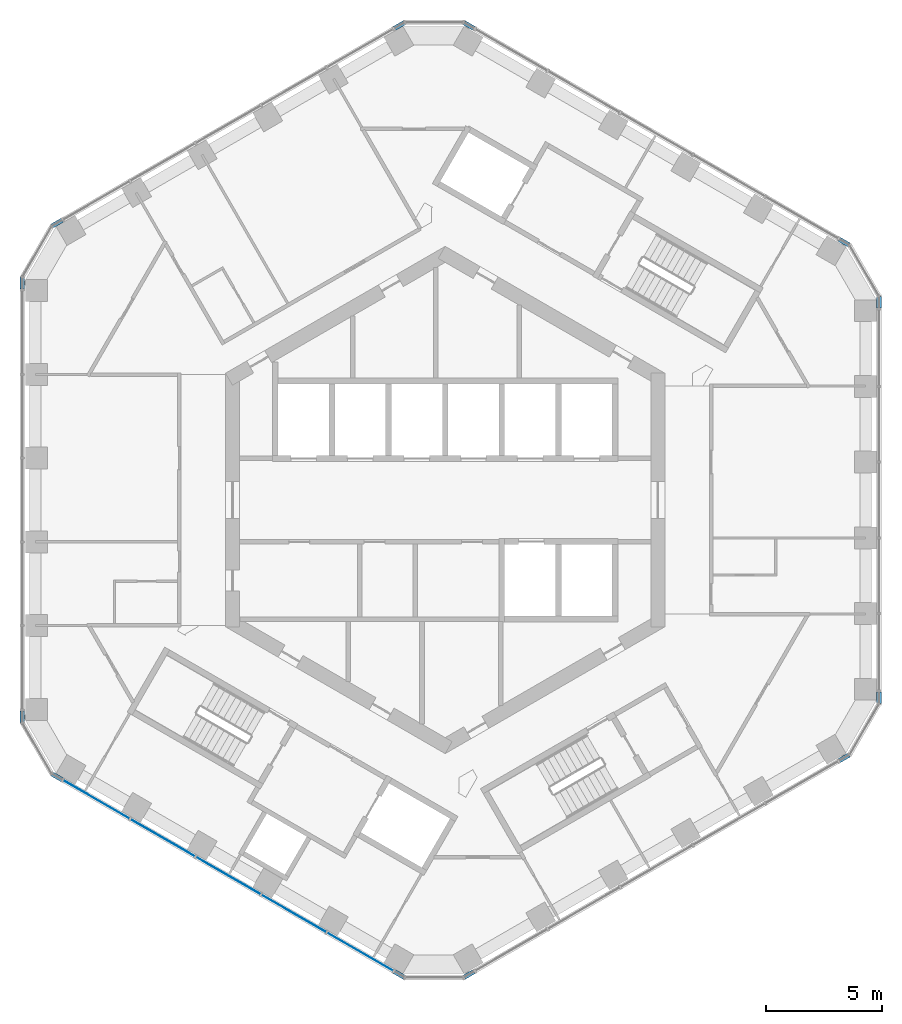
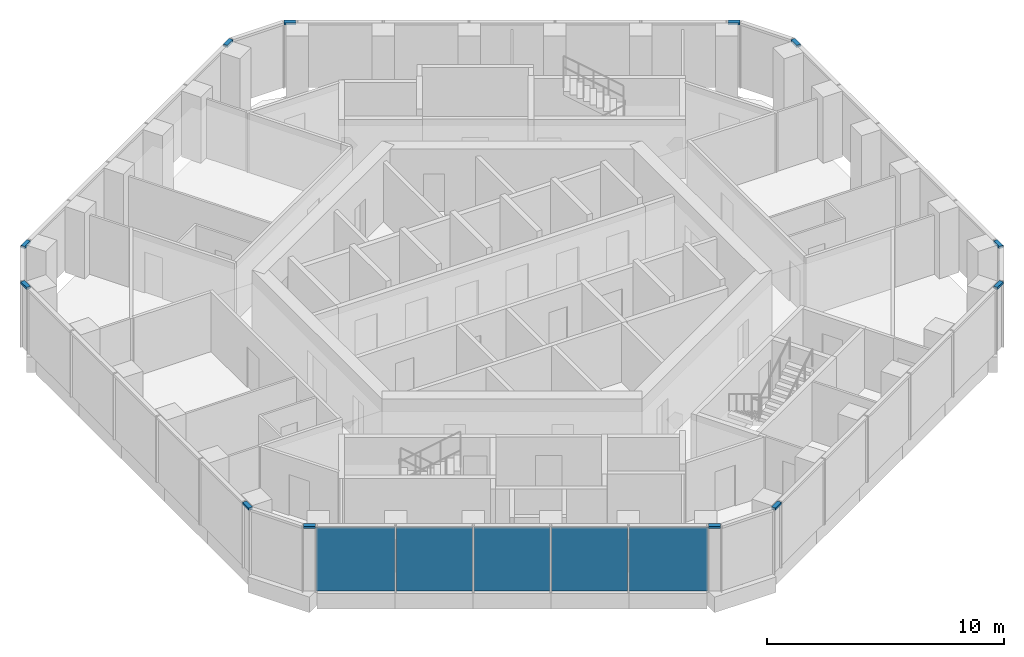
# One storey, part 7 of 18: 12 members, 5 plates, 7 elements without a shape of their own.
"""IFC4 building model written with IfcOpenShell, lengths in metres."""

from ifc_helpers import new_model, si_unit, direction, frame, origin, origin_2d, place, context, subcontext, project, spatial, rectangle, extrude, material, layer, layer_set, material_profile, profile_set, type_object, element, aggregate, save


model = new_model("IFC4")

# Units and contexts
model_context = context("Model", 3, precision=1e-05, world=origin(), true_north=direction((0.0, 1.0)))
body_context = subcontext(model_context, "Body", "Model", "MODEL_VIEW")
ifc_project = project(units=[si_unit("LENGTHUNIT", "METRE"), si_unit("AREAUNIT", "SQUARE_METRE"), si_unit("VOLUMEUNIT", "CUBIC_METRE"), si_unit("PLANEANGLEUNIT", "RADIAN"), si_unit("MASSUNIT", "GRAM", prefix="KILO")], contexts=[model_context])

# Site, building, storey
site_placement = place(None, origin())
site = spatial("IfcSite", under=ifc_project, at=site_placement, CompositionType="ELEMENT")
building_placement = place(site_placement, origin())
building = spatial("IfcBuilding", under=site, at=building_placement, Name="Ayvan Gate Tower", CompositionType="ELEMENT")
storey_placement = place(building_placement, frame((0.0, 0.0, 179.89990234375)))
storey = spatial("IfcBuildingStorey", under=building, at=storey_placement, Name="L48", CompositionType="ELEMENT", Elevation=179.89990234375)

# Curtain wall, members
ifc_material_1 = material(Name="Bronze anodised aluminium", Category="aluminium")
ifc_layer_1 = layer(ifc_material_1, 0.199951171875)
ifc_layer_set_1 = layer_set([ifc_layer_1], Name="Bronze anodised aluminium")
curtain_wall_type_1 = type_object("IfcCurtainWallType", Name="Stick curtain wall CW-6", PredefinedType="NOTDEFINED", material=ifc_layer_set_1)
curtain_wall_1_placement = place(storey_placement, origin())
curtain_wall_1 = element("IfcCurtainWall", 1, at=curtain_wall_1_placement, inside=storey, type_object=curtain_wall_type_1, Name="Stick curtain wall CW-6 L48", PredefinedType="NOTDEFINED")
ifc_material_profile = material_profile(ifc_material_1, rectangle(XDim=0.199951171875, YDim=0.1201171875, at=origin_2d()), Name="Stick curtain wall CW-6 transom 200 x 120")
ifc_profile_set = profile_set([ifc_material_profile], Name="Bronze anodised aluminium")
member_type = type_object("IfcMemberType", Name="Stick curtain wall CW-6 transom 200 x 120", PredefinedType="USERDEFINED", material=ifc_profile_set)
member_1_placement = place(storey_placement, frame((-16.564697265625, 12.100341796875, 3.340087890625), z_axis=(-0.866071776036, -0.499919672301, 0.0), x_axis=(0.499919672301, -0.866071776036, 0.0)))
member_1 = element("IfcMember", 2, at=member_1_placement, type_object=member_type, Name="CW-6 transom 1", ObjectType="TRANSOM", PredefinedType="USERDEFINED", context=body_context, shape_type="SweptSolid", body=[
    extrude(rectangle(XDim=0.199951171875, YDim=0.1201171875, at=origin_2d()), origin(), (0.0, 0.0, 1.0), 0.5),
])
member_2_placement = place(storey_placement, frame((-18.286865234375, 9.61767578125, 3.340087890625), z_axis=(0.0, -1.0, 0.0), x_axis=(1.0, 0.0, 0.0)))
member_2 = element("IfcMember", 3, at=member_2_placement, type_object=member_type, Name="CW-6 transom 3", ObjectType="TRANSOM", PredefinedType="USERDEFINED", context=body_context, shape_type="SweptSolid", body=[
    extrude(rectangle(XDim=0.199951171875, YDim=0.1201171875, at=origin_2d()), origin(), (0.0, 0.0, 1.0), 0.5),
])
aggregate(curtain_wall_1, [member_1, member_2])

curtain_wall_2_placement = place(storey_placement, origin())
curtain_wall_2 = element("IfcCurtainWall", 4, at=curtain_wall_2_placement, inside=storey, type_object=curtain_wall_type_1, Name="Stick curtain wall CW-6 L48", PredefinedType="NOTDEFINED")
member_3_placement = place(storey_placement, frame((-18.286865234375, -9.11767578125, 3.340087890625), z_axis=(0.0, -1.0, 0.0), x_axis=(1.0, 0.0, 0.0)))
member_3 = element("IfcMember", 5, at=member_3_placement, type_object=member_type, Name="CW-6 transom 1", ObjectType="TRANSOM", PredefinedType="USERDEFINED", context=body_context, shape_type="SweptSolid", body=[
    extrude(rectangle(XDim=0.199951171875, YDim=0.1201171875, at=origin_2d()), origin(), (0.0, 0.0, 1.0), 0.5),
])
member_4_placement = place(storey_placement, frame((-16.997802734375, -11.850341796875, 3.340087890625), z_axis=(0.866071776036, -0.499919672301, 0.0), x_axis=(0.499919672301, 0.866071776036, 0.0)))
member_4 = element("IfcMember", 6, at=member_4_placement, type_object=member_type, Name="CW-6 transom 3", ObjectType="TRANSOM", PredefinedType="USERDEFINED", context=body_context, shape_type="SweptSolid", body=[
    extrude(rectangle(XDim=0.199951171875, YDim=0.1201171875, at=origin_2d()), origin(), (0.0, 0.0, 1.0), 0.5),
])
aggregate(curtain_wall_2, [member_3, member_4])

curtain_wall_3_placement = place(storey_placement, origin())
curtain_wall_3 = element("IfcCurtainWall", 7, at=curtain_wall_3_placement, inside=storey, type_object=curtain_wall_type_1, Name="Stick curtain wall CW-6 L48", PredefinedType="NOTDEFINED")
member_5_placement = place(storey_placement, frame((-2.19677734375, -20.395751953125, 3.340087890625), z_axis=(0.866071776036, -0.499919672301, 0.0), x_axis=(0.499919672301, 0.866071776036, 0.0)))
member_5 = element("IfcMember", 8, at=member_5_placement, type_object=member_type, Name="CW-6 transom 1", ObjectType="TRANSOM", PredefinedType="USERDEFINED", context=body_context, shape_type="SweptSolid", body=[
    extrude(rectangle(XDim=0.199951171875, YDim=0.1201171875, at=origin_2d()), origin(), (0.0, 0.0, 1.0), 0.5),
])
member_6_placement = place(storey_placement, frame((0.814208984375, -20.645751953125, 3.340087890625), z_axis=(0.865949687125, 0.500131122175, 0.0), x_axis=(-0.500131122175, 0.865949687125, 0.0)))
member_6 = element("IfcMember", 9, at=member_6_placement, type_object=member_type, Name="CW-6 transom 3", ObjectType="TRANSOM", PredefinedType="USERDEFINED", context=body_context, shape_type="SweptSolid", body=[
    extrude(rectangle(XDim=0.199951171875, YDim=0.1201171875, at=origin_2d()), origin(), (0.0, 0.0, 1.0), 0.499755859375),
])
aggregate(curtain_wall_3, [member_5, member_6])

curtain_wall_4_placement = place(storey_placement, origin())
curtain_wall_4 = element("IfcCurtainWall", 10, at=curtain_wall_4_placement, inside=storey, type_object=curtain_wall_type_1, Name="Stick curtain wall CW-6 L48", PredefinedType="NOTDEFINED")
member_7_placement = place(storey_placement, frame((17.03955078125, -11.27783203125, 3.340087890625), z_axis=(0.866071776036, 0.499919672301, 0.0), x_axis=(-0.499919672301, 0.866071776036, 0.0)))
member_7 = element("IfcMember", 11, at=member_7_placement, type_object=member_type, Name="CW-6 transom 1", ObjectType="TRANSOM", PredefinedType="USERDEFINED", context=body_context, shape_type="SweptSolid", body=[
    extrude(rectangle(XDim=0.199951171875, YDim=0.1201171875, at=origin_2d()), origin(), (0.0, 0.0, 1.0), 0.5),
])
member_8_placement = place(storey_placement, frame((18.761474609375, -8.79541015625, 3.340087890625), z_axis=(0.0, 1.0, 0.0), x_axis=(-1.0, 0.0, 0.0)))
member_8 = element("IfcMember", 12, at=member_8_placement, type_object=member_type, Name="CW-6 transom 3", ObjectType="TRANSOM", PredefinedType="USERDEFINED", context=body_context, shape_type="SweptSolid", body=[
    extrude(rectangle(XDim=0.199951171875, YDim=0.1201171875, at=origin_2d()), origin(), (0.0, 0.0, 1.0), 0.5),
])
aggregate(curtain_wall_4, [member_7, member_8])

curtain_wall_5_placement = place(storey_placement, origin())
curtain_wall_5 = element("IfcCurtainWall", 13, at=curtain_wall_5_placement, inside=storey, type_object=curtain_wall_type_1, Name="Stick curtain wall CW-6 L48", PredefinedType="NOTDEFINED")
member_9_placement = place(storey_placement, frame((18.761474609375, 8.29541015625, 3.340087890625), z_axis=(0.0, 1.0, 0.0), x_axis=(-1.0, 0.0, 0.0)))
member_9 = element("IfcMember", 14, at=member_9_placement, type_object=member_type, Name="CW-6 transom 1", ObjectType="TRANSOM", PredefinedType="USERDEFINED", context=body_context, shape_type="SweptSolid", body=[
    extrude(rectangle(XDim=0.199951171875, YDim=0.1201171875, at=origin_2d()), origin(), (0.0, 0.0, 1.0), 0.5),
])
member_10_placement = place(storey_placement, frame((17.47265625, 11.02783203125, 3.340087890625), z_axis=(-0.866071776036, 0.499919672301, 0.0), x_axis=(-0.499919672301, -0.866071776036, 0.0)))
member_10 = element("IfcMember", 15, at=member_10_placement, type_object=member_type, Name="CW-6 transom 3", ObjectType="TRANSOM", PredefinedType="USERDEFINED", context=body_context, shape_type="SweptSolid", body=[
    extrude(rectangle(XDim=0.199951171875, YDim=0.1201171875, at=origin_2d()), origin(), (0.0, 0.0, 1.0), 0.5),
])
aggregate(curtain_wall_5, [member_9, member_10])

curtain_wall_6_placement = place(storey_placement, origin())
curtain_wall_6 = element("IfcCurtainWall", 16, at=curtain_wall_6_placement, inside=storey, type_object=curtain_wall_type_1, Name="Stick curtain wall CW-6 L48", PredefinedType="NOTDEFINED")
member_11_placement = place(storey_placement, frame((1.2470703125, 20.395751953125, 3.340087890625), z_axis=(-0.865949687125, 0.500131122175, 0.0), x_axis=(-0.500131122175, -0.865949687125, 0.0)))
member_11 = element("IfcMember", 17, at=member_11_placement, type_object=member_type, Name="CW-6 transom 1", ObjectType="TRANSOM", PredefinedType="USERDEFINED", context=body_context, shape_type="SweptSolid", body=[
    extrude(rectangle(XDim=0.199951171875, YDim=0.1201171875, at=origin_2d()), origin(), (0.0, 0.0, 1.0), 0.499755859375),
])
member_12_placement = place(storey_placement, frame((-1.763671875, 20.645751953125, 3.340087890625), z_axis=(-0.866071776036, -0.499919672301, 0.0), x_axis=(0.499919672301, -0.866071776036, 0.0)))
member_12 = element("IfcMember", 18, at=member_12_placement, type_object=member_type, Name="CW-6 transom 3", ObjectType="TRANSOM", PredefinedType="USERDEFINED", context=body_context, shape_type="SweptSolid", body=[
    extrude(rectangle(XDim=0.199951171875, YDim=0.1201171875, at=origin_2d()), origin(), (0.0, 0.0, 1.0), 0.5),
])
aggregate(curtain_wall_6, [member_11, member_12])

# Curtain wall, plates
ifc_layer_2 = layer(ifc_material_1, 0.199951171875)
ifc_layer_set_2 = layer_set([ifc_layer_2], Name="Bronze anodised aluminium")
curtain_wall_type_2 = type_object("IfcCurtainWallType", Name="Stick curtain wall CW-2", PredefinedType="NOTDEFINED", material=ifc_layer_set_2)
curtain_wall_7_placement = place(storey_placement, origin())
curtain_wall_7 = element("IfcCurtainWall", 19, at=curtain_wall_7_placement, inside=storey, type_object=curtain_wall_type_2, Name="Stick curtain wall CW-2 L48", PredefinedType="NOTDEFINED")
ifc_material_2 = material(Name="Clear low-iron laminated glass", Category="glass")
ifc_layer_3 = layer(ifc_material_2, 0.028076171875)
ifc_layer_set_3 = layer_set([ifc_layer_3], Name="Clear low-iron laminated glass")
plate_type = type_object("IfcPlateType", Name="Stick curtain wall CW-2 glass panel", PredefinedType="CURTAIN_PANEL", material=ifc_layer_set_3)
plate_1_placement = place(storey_placement, frame((-15.099609375, -12.9462890625, 0.0), z_axis=(0.0, 0.0, 1.0), x_axis=(0.866025403784, -0.5, 0.0)))
plate_1 = element("IfcPlate", 20, at=plate_1_placement, type_object=plate_type, Name="CW-2 glass panel 1", PredefinedType="CURTAIN_PANEL", context=body_context, shape_type="SweptSolid", body=[
    extrude(rectangle(XDim=3.31396484375, YDim=0.028076171875, at=origin_2d()), origin(), (0.0, 0.0, 1.0), 3.280029296875),
])
plate_2_placement = place(storey_placement, frame((-12.216552734375, -14.61083984375, 0.0), z_axis=(0.0, 0.0, 1.0), x_axis=(0.866025403784, -0.5, 0.0)))
plate_2 = element("IfcPlate", 21, at=plate_2_placement, type_object=plate_type, Name="CW-2 glass panel 2", PredefinedType="CURTAIN_PANEL", context=body_context, shape_type="SweptSolid", body=[
    extrude(rectangle(XDim=3.2041015625, YDim=0.028076171875, at=origin_2d()), origin(), (0.0, 0.0, 1.0), 3.280029296875),
])
plate_3_placement = place(storey_placement, frame((-9.380615234375, -16.248046875, 0.0), z_axis=(0.0, 0.0, 1.0), x_axis=(0.866025403784, -0.5, 0.0)))
plate_3 = element("IfcPlate", 22, at=plate_3_placement, type_object=plate_type, Name="CW-2 glass panel 3", PredefinedType="CURTAIN_PANEL", context=body_context, shape_type="SweptSolid", body=[
    extrude(rectangle(XDim=3.205078125, YDim=0.028076171875, at=origin_2d()), origin(), (0.0, 0.0, 1.0), 3.280029296875),
])
plate_4_placement = place(storey_placement, frame((-6.544921875, -17.88525390625, 0.0), z_axis=(0.0, 0.0, 1.0), x_axis=(0.866025403784, -0.5, 0.0)))
plate_4 = element("IfcPlate", 23, at=plate_4_placement, type_object=plate_type, Name="CW-2 glass panel 4", PredefinedType="CURTAIN_PANEL", context=body_context, shape_type="SweptSolid", body=[
    extrude(rectangle(XDim=3.2041015625, YDim=0.028076171875, at=origin_2d()), origin(), (0.0, 0.0, 1.0), 3.280029296875),
])
plate_5_placement = place(storey_placement, frame((-3.661865234375, -19.5498046875, 0.0), z_axis=(0.0, 0.0, 1.0), x_axis=(0.866025403784, -0.5, 0.0)))
plate_5 = element("IfcPlate", 24, at=plate_5_placement, type_object=plate_type, Name="CW-2 glass panel 5", PredefinedType="CURTAIN_PANEL", context=body_context, shape_type="SweptSolid", body=[
    extrude(rectangle(XDim=3.31396484375, YDim=0.028076171875, at=origin_2d()), origin(), (0.0, 0.0, 1.0), 3.280029296875),
])
aggregate(curtain_wall_7, [plate_1, plate_2, plate_3, plate_4, plate_5])

save(model, "model.ifc")
